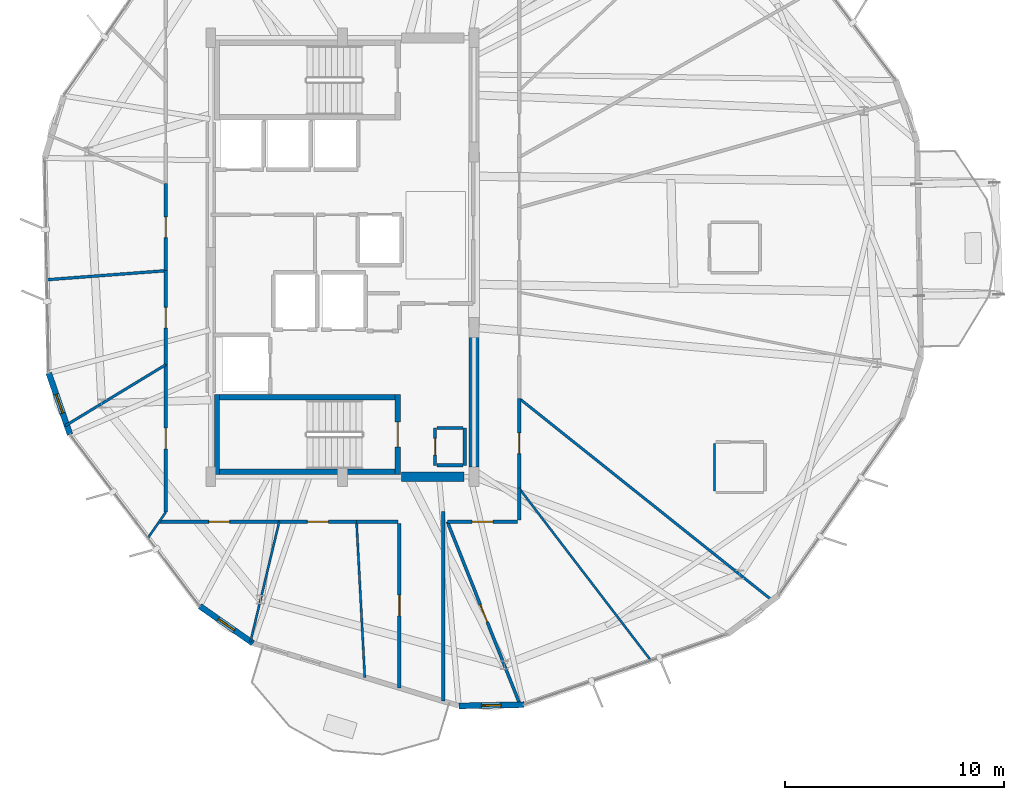
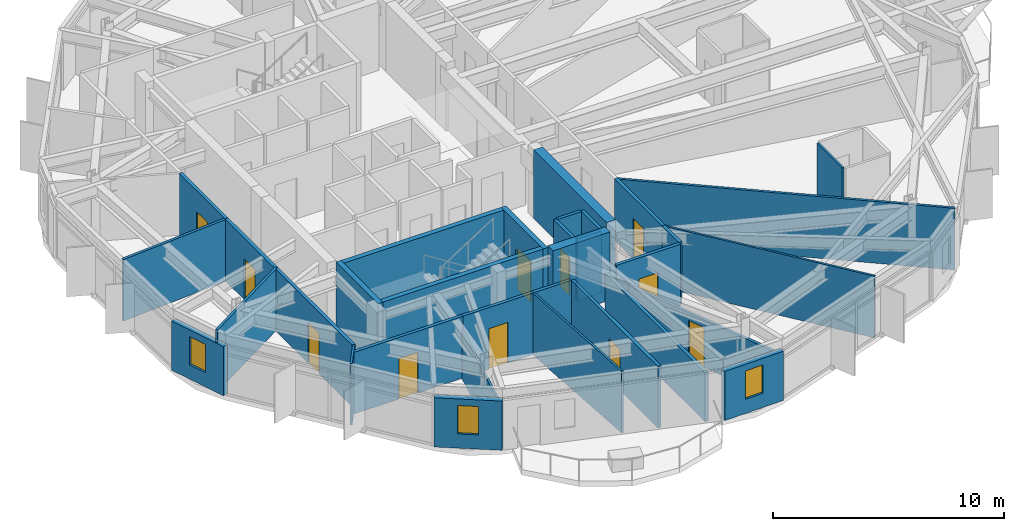
# One storey, part 28 of 34: 33 walls, 11 doors, 3 windows, 14 openings.
"""IFC4 building model written with IfcOpenShell, lengths in metres."""

from ifc_helpers import new_model, si_unit, direction, frame, frame_2d, origin, place, context, subcontext, project, spatial, rectangle, extrude, material, layer, layer_set, type_object, element, fill, save


model = new_model("IFC4")

# Units and contexts
model_context = context("Model", 3, precision=1e-05, world=origin(), true_north=direction((0.0, 1.0)))
body_context = subcontext(model_context, "Body", "Model", "MODEL_VIEW")
ifc_project = project(units=[si_unit("LENGTHUNIT", "METRE"), si_unit("AREAUNIT", "SQUARE_METRE"), si_unit("VOLUMEUNIT", "CUBIC_METRE"), si_unit("PLANEANGLEUNIT", "RADIAN"), si_unit("MASSUNIT", "GRAM", prefix="KILO")], contexts=[model_context])

# Site, building, storey
site_placement = place(None, origin())
site = spatial("IfcSite", under=ifc_project, at=site_placement, CompositionType="ELEMENT")
building_placement = place(site_placement, origin())
building = spatial("IfcBuilding", under=site, at=building_placement, Name="Soratama Intermodal Tower", CompositionType="ELEMENT")
storey_placement = place(building_placement, frame((0.0, 0.0, 233.800048828125)))
storey = spatial("IfcBuildingStorey", under=building, at=storey_placement, Name="L59", CompositionType="ELEMENT", Elevation=233.800048828125)

# Wall, opening, window
ifc_material_1 = material(Name="Concrete f'c 42 MPa", Category="concrete")
ifc_layer_1 = layer(ifc_material_1, 0.27001953125)
ifc_layer_set_1 = layer_set([ifc_layer_1], Name="Concrete f'c 42 MPa")
wall_type_1 = type_object("IfcWallType", Name="EW-CRN-270", PredefinedType="SOLIDWALL", material=ifc_layer_set_1)
wall_1_placement = place(storey_placement, frame((25.21875, 19.727294921875, 0.0), z_axis=(0.0, 0.0, 1.0), x_axis=(0.326898552416, -0.945059435395, 0.0)))
wall_1 = element("IfcWall", 1, at=wall_1_placement, inside=storey, type_object=wall_type_1, Name="L59 Corner Closure Wall 04", PredefinedType="SOLIDWALL", context=body_context, shape_type="SweptSolid", body=[
    extrude(rectangle(XDim=2.966552734375, YDim=0.27001953125, at=frame_2d((1.4833984375, 0.0))), origin(), (0.0, 0.0, 1.0), 2.598876953125),
])
opening_1_placement = place(wall_1_placement, frame((1.033203125, 0.0, 0.75)))
opening_1 = element("IfcOpeningElement", 2, at=opening_1_placement, cuts=wall_1, Name="Opening WN-6", PredefinedType="OPENING", context=body_context, shape_type="SweptSolid", body=[
    extrude(rectangle(XDim=0.89990234375, YDim=1.5, at=frame_2d((0.449951171875, 0.75))), frame((0.0, 0.14501953125, 0.0), z_axis=(0.0, -1.0, 0.0), x_axis=(1.0, 0.0, 0.0)), (0.0, 0.0, 1.0), 0.2900390625),
])
ifc_material_2 = material(Name="Double-glazed aluminium window", Category="aluminium")
window_type = type_object("IfcWindowType", Name="WN-FAC-900", PartitioningType="SINGLE_PANEL", PredefinedType="WINDOW", material=ifc_material_2)
window_1_placement = place(opening_1_placement, origin())
window_1 = element("IfcWindow", 3, at=window_1_placement, inside=storey, type_object=window_type, Name="L59 Corner Window 04", OverallHeight=1.5, OverallWidth=0.89990234375, PartitioningType="SINGLE_PANEL", PredefinedType="WINDOW", context=body_context, shape_type="SweptSolid", body=[
    extrude(rectangle(XDim=0.89990234375, YDim=1.5, at=frame_2d((0.449951171875, 0.75))), frame((0.0, 0.030029296875, 0.0), z_axis=(0.0, -1.0, 0.0), x_axis=(1.0, 0.0, 0.0)), (0.0, 0.0, 1.0), 0.06005859375),
])
fill(opening_1, window_1)

wall_2_placement = place(storey_placement, frame((32.095703125, 9.107421875, 0.0), z_axis=(0.0, 0.0, 1.0), x_axis=(0.81995808367, -0.572423567845, 0.0)))
wall_2 = element("IfcWall", 4, at=wall_2_placement, inside=storey, type_object=wall_type_1, Name="L59 Corner Closure Wall 05", PredefinedType="SOLIDWALL", context=body_context, shape_type="SweptSolid", body=[
    extrude(rectangle(XDim=2.966796875, YDim=0.27001953125, at=frame_2d((1.4833984375, 0.0))), origin(), (0.0, 0.0, 1.0), 2.598876953125),
])
opening_2_placement = place(wall_2_placement, frame((1.033203125, 0.0, 0.75)))
opening_2 = element("IfcOpeningElement", 5, at=opening_2_placement, cuts=wall_2, Name="Opening WN-6", PredefinedType="OPENING", context=body_context, shape_type="SweptSolid", body=[
    extrude(rectangle(XDim=0.89990234375, YDim=1.5, at=frame_2d((0.449951171875, 0.75))), frame((0.0, 0.14501953125, 0.0), z_axis=(0.0, -1.0, 0.0), x_axis=(1.0, 0.0, 0.0)), (0.0, 0.0, 1.0), 0.2900390625),
])
window_2_placement = place(opening_2_placement, origin())
window_2 = element("IfcWindow", 6, at=window_2_placement, inside=storey, type_object=window_type, Name="L59 Corner Window 05", OverallHeight=1.5, OverallWidth=0.89990234375, PartitioningType="SINGLE_PANEL", PredefinedType="WINDOW", context=body_context, shape_type="SweptSolid", body=[
    extrude(rectangle(XDim=0.89990234375, YDim=1.5, at=frame_2d((0.449951171875, 0.75))), frame((0.0, 0.030029296875, 0.0), z_axis=(0.0, -1.0, 0.0), x_axis=(1.0, 0.0, 0.0)), (0.0, 0.0, 1.0), 0.06005859375),
])
fill(opening_2, window_2)

wall_3_placement = place(storey_placement, frame((43.90185546875, 4.5576171875, 0.0), z_axis=(0.0, 0.0, 1.0), x_axis=(0.999822399495, 0.018845940364, 0.0)))
wall_3 = element("IfcWall", 7, at=wall_3_placement, inside=storey, type_object=wall_type_1, Name="L59 Corner Closure Wall 06", PredefinedType="SOLIDWALL", context=body_context, shape_type="SweptSolid", body=[
    extrude(rectangle(XDim=2.966552734375, YDim=0.27001953125, at=frame_2d((1.4833984375, 0.0))), origin(), (0.0, 0.0, 1.0), 2.598876953125),
])
opening_3_placement = place(wall_3_placement, frame((1.033203125, 0.0, 0.75)))
opening_3 = element("IfcOpeningElement", 8, at=opening_3_placement, cuts=wall_3, Name="Opening WN-6", PredefinedType="OPENING", context=body_context, shape_type="SweptSolid", body=[
    extrude(rectangle(XDim=0.89990234375, YDim=1.5, at=frame_2d((0.449951171875, 0.75))), frame((0.0, 0.14501953125, 0.0), z_axis=(0.0, -1.0, 0.0), x_axis=(1.0, 0.0, 0.0)), (0.0, 0.0, 1.0), 0.2900390625),
])
window_3_placement = place(opening_3_placement, origin())
window_3 = element("IfcWindow", 9, at=window_3_placement, inside=storey, type_object=window_type, Name="L59 Corner Window 06", OverallHeight=1.5, OverallWidth=0.89990234375, PartitioningType="SINGLE_PANEL", PredefinedType="WINDOW", context=body_context, shape_type="SweptSolid", body=[
    extrude(rectangle(XDim=0.89990234375, YDim=1.5, at=frame_2d((0.449951171875, 0.75))), frame((0.0, 0.030029296875, 0.0), z_axis=(0.0, -1.0, 0.0), x_axis=(1.0, 0.0, 0.0)), (0.0, 0.0, 1.0), 0.06005859375),
])
fill(opening_3, window_3)

# Walls
ifc_material_3 = material(Name="Fire-rated gypsum stud partition", Category="concrete")
ifc_layer_2 = layer(ifc_material_3, 0.14990234375)
ifc_layer_set_2 = layer_set([ifc_layer_2], Name="Fire-rated gypsum stud partition")
wall_type_2 = type_object("IfcWallType", Name="IW-PART-R150", PredefinedType="PARTITIONING", material=ifc_layer_set_2)
for number, where, z_axis, x_axis, name in (
    (10, (42.89990234375, 15.52001953125, 0.0), (0.0, 0.0, 1.0), (1.0, 0.0, 0.0), "L59 Riser Wall S"),
    (11, (42.89990234375, 17.219970703125, 0.0), (0.0, 0.0, 1.0), (1.0, 0.0, 0.0), "L59 Riser Wall N"),
):
    element("IfcWall", number, at=place(storey_placement, frame(where, z_axis=z_axis, x_axis=x_axis)), inside=storey, type_object=wall_type_2, Name=name, PredefinedType="PARTITIONING", context=body_context, shape_type="SweptSolid", body=[
        extrude(rectangle(XDim=1.2001953125, YDim=0.14990234375, at=frame_2d((0.60009765625, 0.0))), origin(), (0.0, 0.0, 1.0), 3.260009765625),
    ])
wall_4_placement = place(storey_placement, frame((44.179931640625, 15.52001953125, 0.0), z_axis=(0.0, 0.0, 1.0), x_axis=(0.0, 1.0, 0.0)))
element("IfcWall", 12, at=wall_4_placement, inside=storey, type_object=wall_type_2, Name="L59 Riser Wall E", PredefinedType="PARTITIONING", context=body_context, shape_type="SweptSolid", body=[
    extrude(rectangle(XDim=1.699951171875, YDim=0.14990234375, at=frame_2d((0.85009765625, 0.0))), origin(), (0.0, 0.0, 1.0), 3.260009765625),
])

# Wall, opening, door
wall_5_placement = place(storey_placement, frame((42.820068359375, 15.52001953125, 0.0), z_axis=(0.0, 0.0, 1.0), x_axis=(0.0, 1.0, 0.0)))
wall_5 = element("IfcWall", 13, at=wall_5_placement, inside=storey, type_object=wall_type_2, Name="L59 Riser Front Wall", PredefinedType="PARTITIONING", context=body_context, shape_type="SweptSolid", body=[
    extrude(rectangle(XDim=1.699951171875, YDim=0.14990234375, at=frame_2d((0.85009765625, 0.0))), origin(), (0.0, 0.0, 1.0), 3.260009765625),
])
opening_4_placement = place(wall_5_placement, frame((0.469970703125, 0.0, 0.0)))
opening_4 = element("IfcOpeningElement", 14, at=opening_4_placement, cuts=wall_5, Name="Opening TD-1", PredefinedType="OPENING", context=body_context, shape_type="SweptSolid", body=[
    extrude(rectangle(XDim=0.760009765625, YDim=2.0, at=frame_2d((0.3798828125, 1.0))), frame((0.0, 0.0849609375, 0.0), z_axis=(0.0, -1.0, 0.0), x_axis=(1.0, 0.0, 0.0)), (0.0, 0.0, 1.0), 0.169921875),
])
ifc_material_4 = material(Name="Steel fire door", Category="steel")
door_type_1 = type_object("IfcDoorType", Name="DR-RISER-TRAP", OperationType="NOTDEFINED", PredefinedType="TRAPDOOR", material=ifc_material_4)
door_1_placement = place(opening_4_placement, origin())
door_1 = element("IfcDoor", 15, at=door_1_placement, inside=storey, type_object=door_type_1, Name="L59 Riser Inspection Door", OperationType="SINGLE_SWING_LEFT", OverallHeight=2.0, OverallWidth=0.760009765625, PredefinedType="TRAPDOOR", context=body_context, shape_type="SweptSolid", body=[
    extrude(rectangle(XDim=0.760009765625, YDim=2.0, at=frame_2d((0.3798828125, 1.0))), frame((0.0, 0.02490234375, 0.0), z_axis=(0.0, -1.0, 0.0), x_axis=(1.0, 0.0, 0.0)), (0.0, 0.0, 1.0), 0.050048828125),
])
fill(opening_4, door_1)

ifc_material_5 = material(Name="Fire-rated gypsum stud partition", Category="concrete")
ifc_layer_3 = layer(ifc_material_5, 0.159912109375)
ifc_layer_set_3 = layer_set([ifc_layer_3], Name="Fire-rated gypsum stud partition")
wall_type_3 = type_object("IfcWallType", Name="IW-PART-R160", PredefinedType="PARTITIONING", material=ifc_layer_set_3)
wall_6_placement = place(storey_placement, frame((41.199951171875, 5.3798828125, 0.0), z_axis=(0.0, 0.0, 1.0), x_axis=(0.0, 1.0, 0.0)))
wall_6 = element("IfcWall", 16, at=wall_6_placement, inside=storey, type_object=wall_type_3, Name="L59 Partition W-L59-TP010", PredefinedType="PARTITIONING", context=body_context, shape_type="SweptSolid", body=[
    extrude(rectangle(XDim=7.5, YDim=0.159912109375, at=frame_2d((3.75, 0.0))), origin(), (0.0, 0.0, 1.0), 3.260009765625),
])
opening_5_placement = place(wall_6_placement, frame((3.27490234375, 0.0, 0.0)))
opening_5 = element("IfcOpeningElement", 17, at=opening_5_placement, cuts=wall_6, Name="Opening ID-3", PredefinedType="OPENING", context=body_context, shape_type="SweptSolid", body=[
    extrude(rectangle(XDim=0.949951171875, YDim=2.14990234375, at=frame_2d((0.47509765625, 1.074951171875))), frame((0.0, 0.08984375, 0.0), z_axis=(0.0, -1.0, 0.0), x_axis=(1.0, 0.0, 0.0)), (0.0, 0.0, 1.0), 0.179931640625),
])
ifc_material_6 = material(Name="Solid hardwood acoustic door", Category="wood")
door_type_2 = type_object("IfcDoorType", Name="DR-ROOM-950", OperationType="NOTDEFINED", PredefinedType="DOOR", material=ifc_material_6)
door_2_placement = place(opening_5_placement, origin())
door_2 = element("IfcDoor", 18, at=door_2_placement, inside=storey, type_object=door_type_2, Name="L59 Door D-L59-TP003", OperationType="SINGLE_SWING_RIGHT", OverallHeight=2.14990234375, OverallWidth=0.949951171875, PredefinedType="DOOR", context=body_context, shape_type="SweptSolid", body=[
    extrude(rectangle(XDim=0.949951171875, YDim=2.14990234375, at=frame_2d((0.47509765625, 1.074951171875))), frame((0.0, 0.02490234375, 0.0), z_axis=(0.0, -1.0, 0.0), x_axis=(1.0, 0.0, 0.0)), (0.0, 0.0, 1.0), 0.050048828125),
])
fill(opening_5, door_2)

wall_7_placement = place(storey_placement, frame((30.550048828125, 13.383056640625, 0.0), z_axis=(0.0, 0.0, 1.0), x_axis=(0.0, 1.0, 0.0)))
wall_7 = element("IfcWall", 19, at=wall_7_placement, inside=storey, type_object=wall_type_3, Name="L59 Partition W-L59-TP014", PredefinedType="PARTITIONING", context=body_context, shape_type="SweptSolid", body=[
    extrude(rectangle(XDim=6.722900390625, YDim=0.159912109375, at=frame_2d((3.361328125, 0.0))), origin(), (0.0, 0.0, 1.0), 3.260009765625),
])
opening_6_placement = place(wall_7_placement, frame((2.886962890625, 0.0, 0.0)))
opening_6 = element("IfcOpeningElement", 20, at=opening_6_placement, cuts=wall_7, Name="Opening ID-3", PredefinedType="OPENING", context=body_context, shape_type="SweptSolid", body=[
    extrude(rectangle(XDim=0.949951171875, YDim=2.14990234375, at=frame_2d((0.47509765625, 1.074951171875))), frame((0.0, 0.08984375, 0.0), z_axis=(0.0, -1.0, 0.0), x_axis=(1.0, 0.0, 0.0)), (0.0, 0.0, 1.0), 0.179931640625),
])
door_3_placement = place(opening_6_placement, origin())
door_3 = element("IfcDoor", 21, at=door_3_placement, inside=storey, type_object=door_type_2, Name="L59 Door D-L59-TP005", OperationType="SINGLE_SWING_RIGHT", OverallHeight=2.14990234375, OverallWidth=0.949951171875, PredefinedType="DOOR", context=body_context, shape_type="SweptSolid", body=[
    extrude(rectangle(XDim=0.949951171875, YDim=2.14990234375, at=frame_2d((0.47509765625, 1.074951171875))), frame((0.0, 0.02490234375, 0.0), z_axis=(0.0, -1.0, 0.0), x_axis=(1.0, 0.0, 0.0)), (0.0, 0.0, 1.0), 0.050048828125),
])
fill(opening_6, door_3)

wall_8_placement = place(storey_placement, frame((35.718994140625, 12.949951171875, 0.0), z_axis=(0.0, 0.0, 1.0), x_axis=(-1.0, 0.0, 0.0)))
wall_8 = element("IfcWall", 22, at=wall_8_placement, inside=storey, type_object=wall_type_3, Name="L59 Partition W-L59-TP017", PredefinedType="PARTITIONING", context=body_context, shape_type="SweptSolid", body=[
    extrude(rectangle(XDim=5.468994140625, YDim=0.159912109375, at=frame_2d((2.734375, 0.0))), origin(), (0.0, 0.0, 1.0), 3.260009765625),
])
opening_7_placement = place(wall_8_placement, frame((2.260009765625, 0.0, 0.0)))
opening_7 = element("IfcOpeningElement", 23, at=opening_7_placement, cuts=wall_8, Name="Opening ID-3", PredefinedType="OPENING", context=body_context, shape_type="SweptSolid", body=[
    extrude(rectangle(XDim=0.949951171875, YDim=2.14990234375, at=frame_2d((0.47509765625, 1.074951171875))), frame((0.0, 0.08984375, 0.0), z_axis=(0.0, -1.0, 0.0), x_axis=(1.0, 0.0, 0.0)), (0.0, 0.0, 1.0), 0.179931640625),
])
door_4_placement = place(opening_7_placement, origin())
door_4 = element("IfcDoor", 24, at=door_4_placement, inside=storey, type_object=door_type_2, Name="L59 Door D-L59-TP006", OperationType="SINGLE_SWING_LEFT", OverallHeight=2.14990234375, OverallWidth=0.949951171875, PredefinedType="DOOR", context=body_context, shape_type="SweptSolid", body=[
    extrude(rectangle(XDim=0.949951171875, YDim=2.14990234375, at=frame_2d((0.47509765625, 1.074951171875))), frame((0.0, 0.02490234375, 0.0), z_axis=(0.0, -1.0, 0.0), x_axis=(1.0, 0.0, 0.0)), (0.0, 0.0, 1.0), 0.050048828125),
])
fill(opening_7, door_4)

wall_9_placement = place(storey_placement, frame((30.550048828125, 20.10595703125, 0.0), z_axis=(0.0, 0.0, 1.0), x_axis=(0.0, 1.0, 0.0)))
wall_9 = element("IfcWall", 25, at=wall_9_placement, inside=storey, type_object=wall_type_3, Name="L59 Partition W-L59-TP025", PredefinedType="PARTITIONING", context=body_context, shape_type="SweptSolid", body=[
    extrude(rectangle(XDim=4.281982421875, YDim=0.159912109375, at=frame_2d((2.14111328125, 0.0))), origin(), (0.0, 0.0, 1.0), 3.260009765625),
])
opening_8_placement = place(wall_9_placement, frame((1.666015625, 0.0, 0.0)))
opening_8 = element("IfcOpeningElement", 26, at=opening_8_placement, cuts=wall_9, Name="Opening ID-3", PredefinedType="OPENING", context=body_context, shape_type="SweptSolid", body=[
    extrude(rectangle(XDim=0.949951171875, YDim=2.14990234375, at=frame_2d((0.47509765625, 1.074951171875))), frame((0.0, 0.08984375, 0.0), z_axis=(0.0, -1.0, 0.0), x_axis=(1.0, 0.0, 0.0)), (0.0, 0.0, 1.0), 0.179931640625),
])
door_5_placement = place(opening_8_placement, origin())
door_5 = element("IfcDoor", 27, at=door_5_placement, inside=storey, type_object=door_type_2, Name="L59 Door D-L59-TP010", OperationType="SINGLE_SWING_LEFT", OverallHeight=2.14990234375, OverallWidth=0.949951171875, PredefinedType="DOOR", context=body_context, shape_type="SweptSolid", body=[
    extrude(rectangle(XDim=0.949951171875, YDim=2.14990234375, at=frame_2d((0.47509765625, 1.074951171875))), frame((0.0, 0.02490234375, 0.0), z_axis=(0.0, -1.0, 0.0), x_axis=(1.0, 0.0, 0.0)), (0.0, 0.0, 1.0), 0.050048828125),
])
fill(opening_8, door_5)

wall_10_placement = place(storey_placement, frame((46.64990234375, 18.572998046875, 0.0), z_axis=(0.0, 0.0, 1.0), x_axis=(0.0, -1.0, 0.0)))
wall_10 = element("IfcWall", 28, at=wall_10_placement, inside=storey, type_object=wall_type_3, Name="L59 Partition W-L59-TP026", PredefinedType="PARTITIONING", context=body_context, shape_type="SweptSolid", body=[
    extrude(rectangle(XDim=4.094970703125, YDim=0.159912109375, at=frame_2d((2.04736328125, 0.0))), origin(), (0.0, 0.0, 1.0), 3.260009765625),
])
opening_9_placement = place(wall_10_placement, frame((1.572998046875, 0.0, 0.0)))
opening_9 = element("IfcOpeningElement", 29, at=opening_9_placement, cuts=wall_10, Name="Opening ID-3", PredefinedType="OPENING", context=body_context, shape_type="SweptSolid", body=[
    extrude(rectangle(XDim=0.949951171875, YDim=2.14990234375, at=frame_2d((0.47509765625, 1.074951171875))), frame((0.0, 0.08984375, 0.0), z_axis=(0.0, -1.0, 0.0), x_axis=(1.0, 0.0, 0.0)), (0.0, 0.0, 1.0), 0.179931640625),
])
door_6_placement = place(opening_9_placement, origin())
door_6 = element("IfcDoor", 30, at=door_6_placement, inside=storey, type_object=door_type_2, Name="L59 Door D-L59-TP011", OperationType="SINGLE_SWING_RIGHT", OverallHeight=2.14990234375, OverallWidth=0.949951171875, PredefinedType="DOOR", context=body_context, shape_type="SweptSolid", body=[
    extrude(rectangle(XDim=0.949951171875, YDim=2.14990234375, at=frame_2d((0.47509765625, 1.074951171875))), frame((0.0, 0.02490234375, 0.0), z_axis=(0.0, -1.0, 0.0), x_axis=(1.0, 0.0, 0.0)), (0.0, 0.0, 1.0), 0.050048828125),
])
fill(opening_9, door_6)

wall_11_placement = place(storey_placement, frame((30.550048828125, 24.387939453125, 0.0), z_axis=(0.0, 0.0, 1.0), x_axis=(0.0, 1.0, 0.0)))
wall_11 = element("IfcWall", 31, at=wall_11_placement, inside=storey, type_object=wall_type_3, Name="L59 Partition W-L59-TP028", PredefinedType="PARTITIONING", context=body_context, shape_type="SweptSolid", body=[
    extrude(rectangle(XDim=3.963134765625, YDim=0.159912109375, at=frame_2d((1.9814453125, 0.0))), origin(), (0.0, 0.0, 1.0), 3.260009765625),
])
opening_10_placement = place(wall_11_placement, frame((1.506103515625, 0.0, 0.0)))
opening_10 = element("IfcOpeningElement", 32, at=opening_10_placement, cuts=wall_11, Name="Opening ID-3", PredefinedType="OPENING", context=body_context, shape_type="SweptSolid", body=[
    extrude(rectangle(XDim=0.949951171875, YDim=2.14990234375, at=frame_2d((0.47509765625, 1.074951171875))), frame((0.0, 0.08984375, 0.0), z_axis=(0.0, -1.0, 0.0), x_axis=(1.0, 0.0, 0.0)), (0.0, 0.0, 1.0), 0.179931640625),
])
door_7_placement = place(opening_10_placement, origin())
door_7 = element("IfcDoor", 33, at=door_7_placement, inside=storey, type_object=door_type_2, Name="L59 Door D-L59-TP013", OperationType="SINGLE_SWING_RIGHT", OverallHeight=2.14990234375, OverallWidth=0.949951171875, PredefinedType="DOOR", context=body_context, shape_type="SweptSolid", body=[
    extrude(rectangle(XDim=0.949951171875, YDim=2.14990234375, at=frame_2d((0.47509765625, 1.074951171875))), frame((0.0, 0.02490234375, 0.0), z_axis=(0.0, -1.0, 0.0), x_axis=(1.0, 0.0, 0.0)), (0.0, 0.0, 1.0), 0.050048828125),
])
fill(opening_10, door_7)

wall_12_placement = place(storey_placement, frame((39.241943359375, 12.949951171875, 0.0), z_axis=(0.0, 0.0, 1.0), x_axis=(-1.0, 0.0, 0.0)))
wall_12 = element("IfcWall", 34, at=wall_12_placement, inside=storey, type_object=wall_type_3, Name="L59 Partition W-L59-TP031", PredefinedType="PARTITIONING", context=body_context, shape_type="SweptSolid", body=[
    extrude(rectangle(XDim=3.52294921875, YDim=0.159912109375, at=frame_2d((1.761474609375, 0.0))), origin(), (0.0, 0.0, 1.0), 3.260009765625),
])
opening_11_placement = place(wall_12_placement, frame((1.285888671875, 0.0, 0.0)))
opening_11 = element("IfcOpeningElement", 35, at=opening_11_placement, cuts=wall_12, Name="Opening ID-3", PredefinedType="OPENING", context=body_context, shape_type="SweptSolid", body=[
    extrude(rectangle(XDim=0.949951171875, YDim=2.14990234375, at=frame_2d((0.47509765625, 1.074951171875))), frame((0.0, 0.08984375, 0.0), z_axis=(0.0, -1.0, 0.0), x_axis=(1.0, 0.0, 0.0)), (0.0, 0.0, 1.0), 0.179931640625),
])
door_8_placement = place(opening_11_placement, origin())
door_8 = element("IfcDoor", 36, at=door_8_placement, inside=storey, type_object=door_type_2, Name="L59 Door D-L59-TP015", OperationType="SINGLE_SWING_RIGHT", OverallHeight=2.14990234375, OverallWidth=0.949951171875, PredefinedType="DOOR", context=body_context, shape_type="SweptSolid", body=[
    extrude(rectangle(XDim=0.949951171875, YDim=2.14990234375, at=frame_2d((0.47509765625, 1.074951171875))), frame((0.0, 0.02490234375, 0.0), z_axis=(0.0, -1.0, 0.0), x_axis=(1.0, 0.0, 0.0)), (0.0, 0.0, 1.0), 0.050048828125),
])
fill(opening_11, door_8)

wall_13_placement = place(storey_placement, frame((46.580078125, 12.949951171875, 0.0), z_axis=(0.0, 0.0, 1.0), x_axis=(-1.0, 0.0, 0.0)))
wall_13 = element("IfcWall", 37, at=wall_13_placement, inside=storey, type_object=wall_type_3, Name="L59 Partition W-L59-TP035", PredefinedType="PARTITIONING", context=body_context, shape_type="SweptSolid", body=[
    extrude(rectangle(XDim=3.197021484375, YDim=0.159912109375, at=frame_2d((1.5986328125, 0.0))), origin(), (0.0, 0.0, 1.0), 3.260009765625),
])
opening_12_placement = place(wall_13_placement, frame((1.123046875, 0.0, 0.0)))
opening_12 = element("IfcOpeningElement", 38, at=opening_12_placement, cuts=wall_13, Name="Opening ID-3", PredefinedType="OPENING", context=body_context, shape_type="SweptSolid", body=[
    extrude(rectangle(XDim=0.949951171875, YDim=2.14990234375, at=frame_2d((0.47509765625, 1.074951171875))), frame((0.0, 0.08984375, 0.0), z_axis=(0.0, -1.0, 0.0), x_axis=(1.0, 0.0, 0.0)), (0.0, 0.0, 1.0), 0.179931640625),
])
door_9_placement = place(opening_12_placement, origin())
door_9 = element("IfcDoor", 39, at=door_9_placement, inside=storey, type_object=door_type_2, Name="L59 Door D-L59-TP017", OperationType="SINGLE_SWING_RIGHT", OverallHeight=2.14990234375, OverallWidth=0.949951171875, PredefinedType="DOOR", context=body_context, shape_type="SweptSolid", body=[
    extrude(rectangle(XDim=0.949951171875, YDim=2.14990234375, at=frame_2d((0.47509765625, 1.074951171875))), frame((0.0, 0.02490234375, 0.0), z_axis=(0.0, -1.0, 0.0), x_axis=(1.0, 0.0, 0.0)), (0.0, 0.0, 1.0), 0.050048828125),
])
fill(opening_12, door_9)

# Walls
wall_14_placement = place(storey_placement, frame((41.1298828125, 12.949951171875, 0.0), z_axis=(0.0, 0.0, 1.0), x_axis=(-1.0, 0.0, 0.0)))
element("IfcWall", 40, at=wall_14_placement, inside=storey, type_object=wall_type_3, Name="L59 Partition W-L59-TP048", PredefinedType="PARTITIONING", context=body_context, shape_type="SweptSolid", body=[
    extrude(rectangle(XDim=1.887939453125, YDim=0.159912109375, at=frame_2d((0.94384765625, 0.0))), origin(), (0.0, 0.0, 1.0), 3.260009765625),
])
wall_15_placement = place(storey_placement, frame((46.64990234375, 14.47802734375, 0.0), z_axis=(0.0, 0.0, 1.0), x_axis=(0.0, -1.0, 0.0)))
element("IfcWall", 41, at=wall_15_placement, inside=storey, type_object=wall_type_3, Name="L59 Partition W-L59-TP049", PredefinedType="PARTITIONING", context=body_context, shape_type="SweptSolid", body=[
    extrude(rectangle(XDim=1.4580078125, YDim=0.159912109375, at=frame_2d((0.72900390625, 0.0))), origin(), (0.0, 0.0, 1.0), 3.260009765625),
])
wall_16_placement = place(storey_placement, frame((43.199951171875, 13.410888671875, 0.0), z_axis=(0.0, 0.0, 1.0), x_axis=(0.0, -1.0, 0.0)))
element("IfcWall", 42, at=wall_16_placement, inside=storey, type_object=wall_type_3, Name="L59 Partition W-L59-TP053", PredefinedType="PARTITIONING", context=body_context, shape_type="SweptSolid", body=[
    extrude(rectangle(XDim=8.639892578125, YDim=0.159912109375, at=frame_2d((4.31982421875, 0.0))), origin(), (0.0, 0.0, 1.0), 2.597900390625),
])
ifc_material_7 = material(Name="Fire-rated gypsum stud partition", Category="concrete")
ifc_layer_4 = layer(ifc_material_7, 0.10009765625)
ifc_layer_set_4 = layer_set([ifc_layer_4], Name="Fire-rated gypsum stud partition")
wall_type_4 = type_object("IfcWallType", Name="IW-PART-S100", PredefinedType="PARTITIONING", material=ifc_layer_set_4)
wall_17_placement = place(storey_placement, frame((46.64990234375, 14.47802734375, 0.0), z_axis=(0.0, 0.0, 1.0), x_axis=(0.60761033938, -0.794235277156, 0.0)))
element("IfcWall", 43, at=wall_17_placement, inside=storey, type_object=wall_type_4, Name="L59 Partition W-L59-TP006", PredefinedType="PARTITIONING", context=body_context, shape_type="SweptSolid", body=[
    extrude(rectangle(XDim=9.896484375, YDim=0.10009765625, at=frame_2d((4.9482421875, 0.0))), origin(), (0.0, 0.0, 1.0), 3.260009765625),
])
wall_18_placement = place(storey_placement, frame((39.241943359375, 12.949951171875, 0.0), z_axis=(0.0, 0.0, 1.0), x_axis=(0.053100347705, -0.998589181332, 0.0)))
element("IfcWall", 44, at=wall_18_placement, inside=storey, type_object=wall_type_4, Name="L59 Partition W-L59-TP011", PredefinedType="PARTITIONING", context=body_context, shape_type="SweptSolid", body=[
    extrude(rectangle(XDim=7.098876953125, YDim=0.10009765625, at=frame_2d((3.54931640625, 0.0))), origin(), (0.0, 0.0, 1.0), 3.260009765625),
])
wall_19_placement = place(storey_placement, frame((35.718994140625, 12.949951171875, 0.0), z_axis=(0.0, 0.0, 1.0), x_axis=(-0.232760243662, -0.972534147971, 0.0)))
element("IfcWall", 45, at=wall_19_placement, inside=storey, type_object=wall_type_4, Name="L59 Partition W-L59-TP016", PredefinedType="PARTITIONING", context=body_context, shape_type="SweptSolid", body=[
    extrude(rectangle(XDim=5.63671875, YDim=0.10009765625, at=frame_2d((2.818359375, 0.0))), origin(), (0.0, 0.0, 1.0), 2.514892578125),
])
wall_20_placement = place(storey_placement, frame((55.547119140625, 16.512939453125, 0.0), z_axis=(0.0, 0.0, 1.0), x_axis=(0.0, -1.0, 0.0)))
element("IfcWall", 46, at=wall_20_placement, inside=storey, type_object=wall_type_4, Name="L59 Partition W-L59-TP041", PredefinedType="PARTITIONING", context=body_context, shape_type="SweptSolid", body=[
    extrude(rectangle(XDim=2.159912109375, YDim=0.10009765625, at=frame_2d((1.080078125, 0.0))), origin(), (0.0, 0.0, 1.0), 3.260009765625),
])
wall_21_placement = place(storey_placement, frame((30.550048828125, 13.383056640625, 0.0), z_axis=(0.0, 0.0, 1.0), x_axis=(-0.569335494983, -0.822105281672, 0.0)))
element("IfcWall", 47, at=wall_21_placement, inside=storey, type_object=wall_type_4, Name="L59 Partition W-L59-TP051", PredefinedType="PARTITIONING", context=body_context, shape_type="SweptSolid", body=[
    extrude(rectangle(XDim=1.416015625, YDim=0.10009765625, at=frame_2d((0.7080078125, 0.0))), origin(), (0.0, 0.0, 1.0), 3.260009765625),
])
ifc_material_8 = material(Name="Fire-rated gypsum stud partition", Category="concrete")
ifc_layer_5 = layer(ifc_material_8, 0.1201171875)
ifc_layer_set_5 = layer_set([ifc_layer_5], Name="Fire-rated gypsum stud partition")
wall_type_5 = type_object("IfcWallType", Name="IW-PART-S120", PredefinedType="PARTITIONING", material=ifc_layer_set_5)
wall_22_placement = place(storey_placement, frame((46.64990234375, 18.572998046875, 0.0), z_axis=(0.0, 0.0, 1.0), x_axis=(0.781506613228, -0.623896957423, 0.0)))
element("IfcWall", 48, at=wall_22_placement, inside=storey, type_object=wall_type_5, Name="L59 Partition W-L59-TP004", PredefinedType="PARTITIONING", context=body_context, shape_type="SweptSolid", body=[
    extrude(rectangle(XDim=14.81640625, YDim=0.1201171875, at=frame_2d((7.408203125, 0.0))), origin(), (0.0, 0.0, 1.0), 3.260009765625),
])
wall_23_placement = place(storey_placement, frame((30.550048828125, 20.10595703125, 0.0), z_axis=(0.0, 0.0, 1.0), x_axis=(-0.854558444858, -0.519355239043, 0.0)))
element("IfcWall", 49, at=wall_23_placement, inside=storey, type_object=wall_type_5, Name="L59 Partition W-L59-TP019", PredefinedType="PARTITIONING", context=body_context, shape_type="SweptSolid", body=[
    extrude(rectangle(XDim=5.354736328125, YDim=0.1201171875, at=frame_2d((2.67724609375, 0.0))), origin(), (0.0, 0.0, 1.0), 3.260009765625),
])
ifc_material_9 = material(Name="Fire-rated gypsum stud partition", Category="concrete")
ifc_layer_6 = layer(ifc_material_9, 0.1298828125)
ifc_layer_set_6 = layer_set([ifc_layer_6], Name="Fire-rated gypsum stud partition")
wall_type_6 = type_object("IfcWallType", Name="IW-PART-S130", PredefinedType="PARTITIONING", material=ifc_layer_set_6)
wall_24_placement = place(storey_placement, frame((30.550048828125, 24.387939453125, 0.0), z_axis=(0.0, 0.0, 1.0), x_axis=(-0.997129425625, -0.075715972899, 0.0)))
element("IfcWall", 50, at=wall_24_placement, inside=storey, type_object=wall_type_6, Name="L59 Partition W-L59-TP018", PredefinedType="PARTITIONING", context=body_context, shape_type="SweptSolid", body=[
    extrude(rectangle(XDim=5.4267578125, YDim=0.1298828125, at=frame_2d((2.71337890625, 0.0))), origin(), (0.0, 0.0, 1.0), 3.260009765625),
])

# Wall, opening, door
ifc_material_10 = material(Name="Fire-rated gypsum stud partition", Category="concrete")
ifc_layer_7 = layer(ifc_material_10, 0.139892578125)
ifc_layer_set_7 = layer_set([ifc_layer_7], Name="Fire-rated gypsum stud partition")
wall_type_7 = type_object("IfcWallType", Name="IW-PART-S140", PredefinedType="PARTITIONING", material=ifc_layer_set_7)
wall_25_placement = place(storey_placement, frame((43.383056640625, 12.949951171875, 0.0), z_axis=(0.0, 0.0, 1.0), x_axis=(0.369056032082, -0.929407147156, 0.0)))
wall_25 = element("IfcWall", 51, at=wall_25_placement, inside=storey, type_object=wall_type_7, Name="L59 Partition W-L59-TP007", PredefinedType="PARTITIONING", context=body_context, shape_type="SweptSolid", body=[
    extrude(rectangle(XDim=9.00146484375, YDim=0.139892578125, at=frame_2d((4.500732421875, 0.0))), origin(), (0.0, 0.0, 1.0), 2.514892578125),
])
opening_13_placement = place(wall_25_placement, frame((4.075927734375, 0.0, 0.0)))
opening_13 = element("IfcOpeningElement", 52, at=opening_13_placement, cuts=wall_25, Name="Opening ID-4", PredefinedType="OPENING", context=body_context, shape_type="SweptSolid", body=[
    extrude(rectangle(XDim=0.85009765625, YDim=2.10009765625, at=frame_2d((0.425048828125, 1.050048828125))), frame((0.0, 0.079833984375, 0.0), z_axis=(0.0, -1.0, 0.0), x_axis=(1.0, 0.0, 0.0)), (0.0, 0.0, 1.0), 0.159912109375),
])
ifc_material_11 = material(Name="Solid hardwood acoustic door", Category="wood")
door_type_3 = type_object("IfcDoorType", Name="DR-BATH-850", OperationType="NOTDEFINED", PredefinedType="DOOR", material=ifc_material_11)
door_10_placement = place(opening_13_placement, origin())
door_10 = element("IfcDoor", 53, at=door_10_placement, inside=storey, type_object=door_type_3, Name="L59 Door D-L59-TP024", OperationType="SINGLE_SWING_LEFT", OverallHeight=2.10009765625, OverallWidth=0.85009765625, PredefinedType="DOOR", context=body_context, shape_type="SweptSolid", body=[
    extrude(rectangle(XDim=0.85009765625, YDim=2.10009765625, at=frame_2d((0.425048828125, 1.050048828125))), frame((0.0, 0.02490234375, 0.0), z_axis=(0.0, -1.0, 0.0), x_axis=(1.0, 0.0, 0.0)), (0.0, 0.0, 1.0), 0.050048828125),
])
fill(opening_13, door_10)

# Walls
ifc_material_12 = material(Name="Concrete f'c 56 MPa", Category="concrete")
ifc_layer_8 = layer(ifc_material_12, 0.449951171875)
ifc_layer_set_8 = layer_set([ifc_layer_8], Name="Concrete f'c 56 MPa")
wall_type_8 = type_object("IfcWallType", Name="SW-CORE-450", PredefinedType="SHEAR", material=ifc_layer_set_8)
wall_26_placement = place(storey_placement, frame((41.300048828125, 15.0, 0.0), z_axis=(0.0, 0.0, 1.0), x_axis=(1.0, 0.0, 0.0)))
element("IfcWall", 54, at=wall_26_placement, inside=storey, type_object=wall_type_8, Name="L59 Core Shear Wall CW-SE", PredefinedType="SHEAR", context=body_context, shape_type="SweptSolid", body=[
    extrude(rectangle(XDim=2.849853515625, YDim=0.449951171875, at=frame_2d((1.4248046875, 0.0))), origin(), (0.0, 0.0, 1.0), 3.599853515625),
])
wall_27_placement = place(storey_placement, frame((44.60009765625, 15.449951171875, 0.0), z_axis=(0.0, 0.0, 1.0), x_axis=(0.0, 1.0, 0.0)))
element("IfcWall", 55, at=wall_27_placement, inside=storey, type_object=wall_type_8, Name="L59 Core Shear Wall CW-ES", PredefinedType="SHEAR", context=body_context, shape_type="SweptSolid", body=[
    extrude(rectangle(XDim=6.35009765625, YDim=0.449951171875, at=frame_2d((3.175048828125, 0.0))), origin(), (0.0, 0.0, 1.0), 3.599853515625),
])
ifc_material_13 = material(Name="Concrete f'c 56 MPa", Category="concrete")
ifc_layer_9 = layer(ifc_material_13, 0.239990234375)
ifc_layer_set_9 = layer_set([ifc_layer_9], Name="Concrete f'c 56 MPa")
wall_type_9 = type_object("IfcWallType", Name="SW-STAIR-240", PredefinedType="SHEAR", material=ifc_layer_set_9)
wall_28_placement = place(storey_placement, frame((32.8798828125, 15.110107421875, 0.0), z_axis=(0.0, 0.0, 1.0), x_axis=(0.0, 1.0, 0.0)))
element("IfcWall", 56, at=wall_28_placement, inside=storey, type_object=wall_type_9, Name="L59 ST-1 Shaft Shear Wall W", PredefinedType="SHEAR", context=body_context, shape_type="SweptSolid", body=[
    extrude(rectangle(XDim=3.6298828125, YDim=0.239990234375, at=frame_2d((1.81494140625, 0.0))), origin(), (0.0, 0.0, 1.0), 3.599853515625),
])

# Wall, opening, door
wall_29_placement = place(storey_placement, frame((41.1201171875, 15.110107421875, 0.0), z_axis=(0.0, 0.0, 1.0), x_axis=(0.0, 1.0, 0.0)))
wall_29 = element("IfcWall", 57, at=wall_29_placement, inside=storey, type_object=wall_type_9, Name="L59 ST-1 Shaft Shear Wall E", PredefinedType="SHEAR", context=body_context, shape_type="SweptSolid", body=[
    extrude(rectangle(XDim=3.6298828125, YDim=0.239990234375, at=frame_2d((1.81494140625, 0.0))), origin(), (0.0, 0.0, 1.0), 3.599853515625),
])
opening_14_placement = place(wall_29_placement, frame((1.2548828125, 0.0, 0.0)))
opening_14 = element("IfcOpeningElement", 58, at=opening_14_placement, cuts=wall_29, Name="Opening SD-1", PredefinedType="OPENING", context=body_context, shape_type="SweptSolid", body=[
    extrude(rectangle(XDim=1.1201171875, YDim=2.14990234375, at=frame_2d((0.56005859375, 1.074951171875))), frame((0.0, 0.1298828125, 0.0), z_axis=(0.0, -1.0, 0.0), x_axis=(1.0, 0.0, 0.0)), (0.0, 0.0, 1.0), 0.260009765625),
])
ifc_material_14 = material(Name="Steel fire door", Category="steel")
door_type_4 = type_object("IfcDoorType", Name="DR-STAIR-FD90", OperationType="NOTDEFINED", PredefinedType="DOOR", material=ifc_material_14)
door_11_placement = place(opening_14_placement, origin())
door_11 = element("IfcDoor", 59, at=door_11_placement, inside=storey, type_object=door_type_4, Name="L59 ST-1 Exit Stair Door", OperationType="SINGLE_SWING_LEFT", OverallHeight=2.14990234375, OverallWidth=1.1201171875, PredefinedType="DOOR", context=body_context, shape_type="SweptSolid", body=[
    extrude(rectangle(XDim=1.1201171875, YDim=2.14990234375, at=frame_2d((0.56005859375, 1.074951171875))), frame((0.0, 0.02490234375, 0.0), z_axis=(0.0, -1.0, 0.0), x_axis=(1.0, 0.0, 0.0)), (0.0, 0.0, 1.0), 0.050048828125),
])
fill(opening_14, door_11)

# Walls
for number, where, z_axis, x_axis, name in (
    (60, (33.0, 15.22998046875, 0.0), (0.0, 0.0, 1.0), (1.0, 0.0, 0.0), "L59 ST-1 Shaft Shear Wall S"),
    (61, (33.0, 18.6201171875, 0.0), (0.0, 0.0, 1.0), (1.0, 0.0, 0.0), "L59 ST-1 Shaft Shear Wall N"),
):
    element("IfcWall", number, at=place(storey_placement, frame(where, z_axis=z_axis, x_axis=x_axis)), inside=storey, type_object=wall_type_9, Name=name, PredefinedType="SHEAR", context=body_context, shape_type="SweptSolid", body=[
        extrude(rectangle(XDim=8.0, YDim=0.239990234375, at=frame_2d((4.0, 0.0))), origin(), (0.0, 0.0, 1.0), 3.599853515625),
    ])

save(model, "model.ifc")
